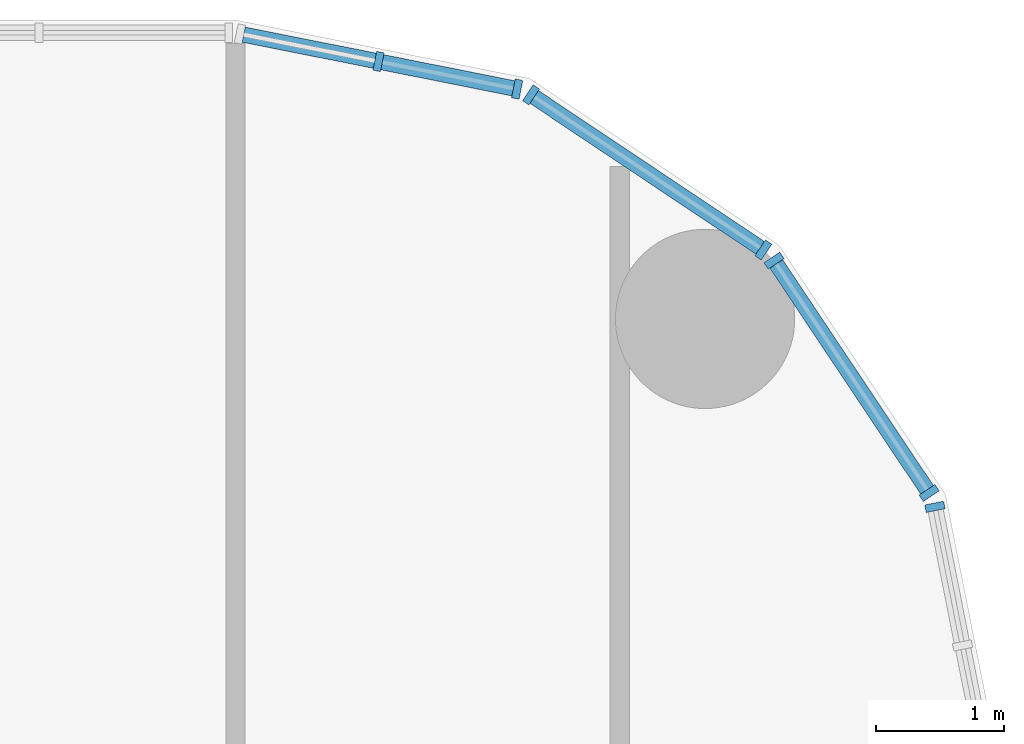
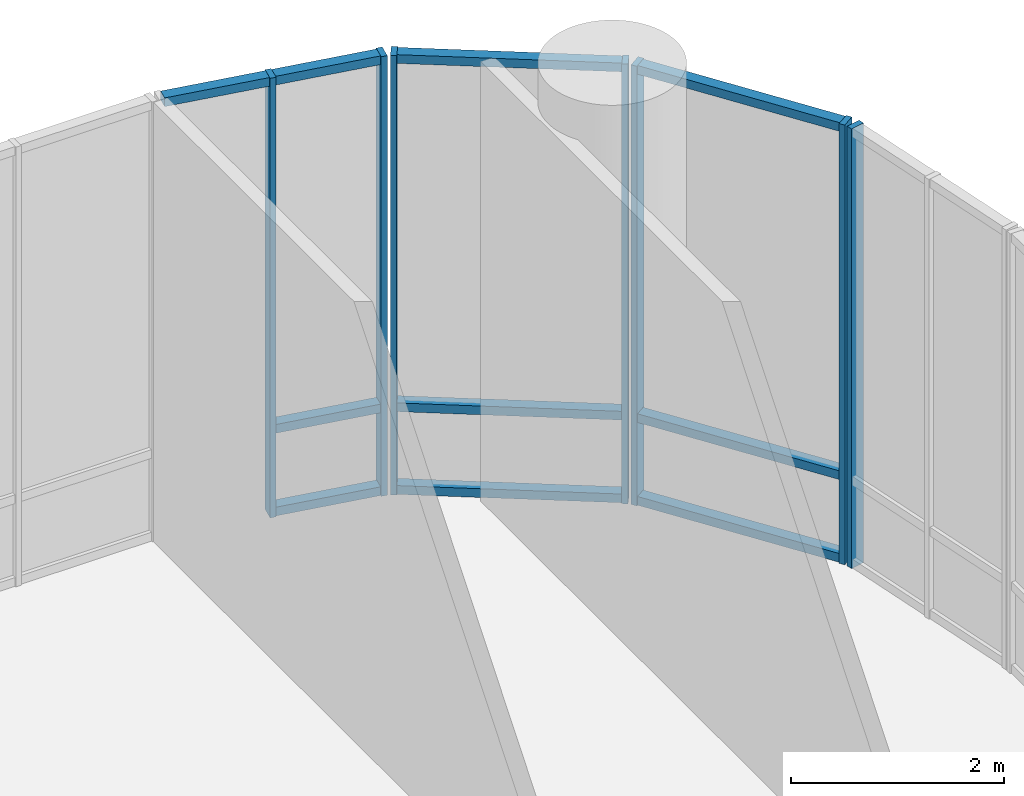
# One storey, part 15 of 28: 17 members, 4 elements without a shape of their own.
"""IFC4 building model written with IfcOpenShell, lengths in metres."""

from ifc_helpers import new_model, si_unit, direction, frame, origin, origin_2d, place, context, subcontext, project, spatial, rectangle, extrude, material, layer, layer_set, material_profile, profile_set, type_object, element, aggregate, save


model = new_model("IFC4")

# Units and contexts
model_context = context("Model", 3, precision=1e-05, world=origin(), true_north=direction((0.0, 1.0)))
body_context = subcontext(model_context, "Body", "Model", "MODEL_VIEW")
ifc_project = project(units=[si_unit("LENGTHUNIT", "METRE"), si_unit("AREAUNIT", "SQUARE_METRE"), si_unit("VOLUMEUNIT", "CUBIC_METRE"), si_unit("PLANEANGLEUNIT", "RADIAN"), si_unit("MASSUNIT", "GRAM", prefix="KILO")], contexts=[model_context])

# Site, building, storey
site_placement = place(None, origin())
site = spatial("IfcSite", under=ifc_project, at=site_placement, CompositionType="ELEMENT")
building_placement = place(site_placement, origin())
building = spatial("IfcBuilding", under=site, at=building_placement, Name="Torana Hotel and Residences", CompositionType="ELEMENT")
storey_placement = place(building_placement, frame((0.0, 0.0, 7.0)))
storey = spatial("IfcBuildingStorey", under=building, at=storey_placement, Name="L01", CompositionType="ELEMENT", Elevation=7.0)

# Curtain wall, member
ifc_material_1 = material(Name="Dark anodised aluminium", Category="aluminium")
ifc_layer = layer(ifc_material_1, 0.14990234375)
ifc_layer_set = layer_set([ifc_layer], Name="CW5 PODIUM UPPER UNITISED CURTAIN WALL")
curtain_wall_type = type_object("IfcCurtainWallType", Name="CW5 PODIUM UPPER UNITISED CURTAIN WALL", PredefinedType="NOTDEFINED", material=ifc_layer_set)
curtain_wall_1_placement = place(storey_placement, origin())
curtain_wall_1 = element("IfcCurtainWall", 1, at=curtain_wall_1_placement, inside=storey, type_object=curtain_wall_type, Name="Curtain wall CW5 L01 e1.6", PredefinedType="NOTDEFINED")
ifc_material_2 = material(Name="Dark anodised aluminium", Category="aluminium")
ifc_material_profile_1 = material_profile(ifc_material_2, rectangle(XDim=0.14990234375, YDim=0.06005859375, at=origin_2d()), Name="CW5 MULLION 60x150")
ifc_profile_set_1 = profile_set([ifc_material_profile_1], Name="Dark anodised aluminium")
member_type_1 = type_object("IfcMemberType", Name="CW5 MULLION 60x150", PredefinedType="MULLION", material=ifc_profile_set_1)
member_1_placement = place(storey_placement, frame((47.460693359375, 4.198486328125, 0.0), z_axis=(0.0, 0.0, 1.0), x_axis=(-0.980787135335, -0.195080996415, 0.0)))
member_1 = element("IfcMember", 2, at=member_1_placement, type_object=member_type_1, Name="CW5 mullion 3", PredefinedType="MULLION", context=body_context, shape_type="SweptSolid", body=[
    extrude(rectangle(XDim=0.14990234375, YDim=0.06005859375, at=origin_2d()), origin(), (0.0, 0.0, 1.0), 5.050048828125),
])
aggregate(curtain_wall_1, [member_1])

# Curtain wall, members
curtain_wall_2_placement = place(storey_placement, origin())
curtain_wall_2 = element("IfcCurtainWall", 3, at=curtain_wall_2_placement, inside=storey, type_object=curtain_wall_type, Name="Curtain wall CW5 L01 e1.7", PredefinedType="NOTDEFINED")
member_2_placement = place(storey_placement, frame((47.415771484375, 4.306884765625, 0.0), z_axis=(0.0, 0.0, 1.0), x_axis=(-0.831459585616, -0.555585238723, 0.0)))
member_2 = element("IfcMember", 4, at=member_2_placement, type_object=member_type_1, Name="CW5 mullion 1", PredefinedType="MULLION", context=body_context, shape_type="SweptSolid", body=[
    extrude(rectangle(XDim=0.14990234375, YDim=0.06005859375, at=origin_2d()), origin(), (0.0, 0.0, 1.0), 5.050048828125),
])
member_3_placement = place(storey_placement, frame((46.203857421875, 6.120849609375, 0.0), z_axis=(0.0, 0.0, 1.0), x_axis=(-0.831459585616, -0.555585238723, 0.0)))
member_3 = element("IfcMember", 5, at=member_3_placement, type_object=member_type_1, Name="CW5 mullion 2", PredefinedType="MULLION", context=body_context, shape_type="SweptSolid", body=[
    extrude(rectangle(XDim=0.14990234375, YDim=0.06005859375, at=origin_2d()), origin(), (0.0, 0.0, 1.0), 5.050048828125),
])

curtain_wall_3_placement = place(storey_placement, origin())
curtain_wall_3 = element("IfcCurtainWall", 6, at=curtain_wall_3_placement, inside=storey, type_object=curtain_wall_type, Name="Curtain wall CW5 L01 e1.8", PredefinedType="NOTDEFINED")
member_4_placement = place(storey_placement, frame((46.120849609375, 6.203857421875, 0.0), z_axis=(0.0, 0.0, 1.0), x_axis=(-0.555585238723, -0.831459585616, 0.0)))
member_4 = element("IfcMember", 7, at=member_4_placement, type_object=member_type_1, Name="CW5 mullion 1", PredefinedType="MULLION", context=body_context, shape_type="SweptSolid", body=[
    extrude(rectangle(XDim=0.14990234375, YDim=0.06005859375, at=origin_2d()), origin(), (0.0, 0.0, 1.0), 5.050048828125),
])
member_5_placement = place(storey_placement, frame((44.306884765625, 7.415771484375, 0.0), z_axis=(0.0, 0.0, 1.0), x_axis=(-0.555585238723, -0.831459585616, 0.0)))
member_5 = element("IfcMember", 8, at=member_5_placement, type_object=member_type_1, Name="CW5 mullion 2", PredefinedType="MULLION", context=body_context, shape_type="SweptSolid", body=[
    extrude(rectangle(XDim=0.14990234375, YDim=0.06005859375, at=origin_2d()), origin(), (0.0, 0.0, 1.0), 5.050048828125),
])

curtain_wall_4_placement = place(storey_placement, origin())
curtain_wall_4 = element("IfcCurtainWall", 9, at=curtain_wall_4_placement, inside=storey, type_object=curtain_wall_type, Name="Curtain wall CW5 L01 e1.9", PredefinedType="NOTDEFINED")
member_6_placement = place(storey_placement, frame((44.198486328125, 7.460693359375, 0.0), z_axis=(0.0, 0.0, 1.0), x_axis=(-0.195080996415, -0.980787135335, 0.0)))
member_6 = element("IfcMember", 10, at=member_6_placement, type_object=member_type_1, Name="CW5 mullion 1", PredefinedType="MULLION", context=body_context, shape_type="SweptSolid", body=[
    extrude(rectangle(XDim=0.14990234375, YDim=0.06005859375, at=origin_2d()), origin(), (0.0, 0.0, 1.0), 5.050048828125),
])
member_7_placement = place(storey_placement, frame((43.1162109375, 7.676025390625, 0.0), z_axis=(0.0, 0.0, 1.0), x_axis=(-0.195080996415, -0.980787135335, 0.0)))
member_7 = element("IfcMember", 11, at=member_7_placement, type_object=member_type_1, Name="CW5 mullion 2", PredefinedType="MULLION", context=body_context, shape_type="SweptSolid", body=[
    extrude(rectangle(XDim=0.14990234375, YDim=0.06005859375, at=origin_2d()), origin(), (0.0, 0.0, 1.0), 5.050048828125),
])

# Member
ifc_material_3 = material(Name="Dark anodised aluminium", Category="aluminium")
ifc_material_profile_2 = material_profile(ifc_material_3, rectangle(XDim=0.1201171875, YDim=0.10009765625, at=origin_2d()), Name="CW5 TRANSOM 120x100")
ifc_profile_set_2 = profile_set([ifc_material_profile_2], Name="Dark anodised aluminium")
member_type_2 = type_object("IfcMemberType", Name="CW5 TRANSOM 120x100", PredefinedType="USERDEFINED", material=ifc_profile_set_2)
member_8_placement = place(storey_placement, frame((47.399169921875, 4.331787109375, 0.050048828125), z_axis=(-0.555602799403, 0.831447851219, 0.0), x_axis=(-0.831447851219, -0.555602799403, 0.0)))
member_8 = element("IfcMember", 12, at=member_8_placement, type_object=member_type_2, Name="CW5 transom 1.1", ObjectType="TRANSOM", PredefinedType="USERDEFINED", context=body_context, shape_type="SweptSolid", body=[
    extrude(rectangle(XDim=0.1201171875, YDim=0.10009765625, at=origin_2d()), origin(), (0.0, 0.0, 1.0), 2.12158203125),
])

member_9_placement = place(storey_placement, frame((47.399169921875, 4.331787109375, 1.0), z_axis=(-0.555602799403, 0.831447851219, 0.0), x_axis=(-0.831447851219, -0.555602799403, 0.0)))
member_9 = element("IfcMember", 13, at=member_9_placement, type_object=member_type_2, Name="CW5 transom 1.2", ObjectType="TRANSOM", PredefinedType="USERDEFINED", context=body_context, shape_type="SweptSolid", body=[
    extrude(rectangle(XDim=0.1201171875, YDim=0.10009765625, at=origin_2d()), origin(), (0.0, 0.0, 1.0), 2.12158203125),
])

member_10_placement = place(storey_placement, frame((47.399169921875, 4.331787109375, 5.0), z_axis=(-0.555602799403, 0.831447851219, 0.0), x_axis=(-0.831447851219, -0.555602799403, 0.0)))
member_10 = element("IfcMember", 14, at=member_10_placement, type_object=member_type_2, Name="CW5 transom 1.3", ObjectType="TRANSOM", PredefinedType="USERDEFINED", context=body_context, shape_type="SweptSolid", body=[
    extrude(rectangle(XDim=0.1201171875, YDim=0.10009765625, at=origin_2d()), origin(), (0.0, 0.0, 1.0), 2.12158203125),
])

aggregate(curtain_wall_2, [member_2, member_3, member_8, member_9, member_10])

member_11_placement = place(storey_placement, frame((46.095703125, 6.220458984375, 0.050048828125), z_axis=(-0.831447851219, 0.555602799403, 0.0), x_axis=(-0.555602799403, -0.831447851219, 0.0)))
member_11 = element("IfcMember", 15, at=member_11_placement, type_object=member_type_2, Name="CW5 transom 1.1", ObjectType="TRANSOM", PredefinedType="USERDEFINED", context=body_context, shape_type="SweptSolid", body=[
    extrude(rectangle(XDim=0.1201171875, YDim=0.10009765625, at=origin_2d()), origin(), (0.0, 0.0, 1.0), 2.12158203125),
])

member_12_placement = place(storey_placement, frame((46.095703125, 6.220458984375, 1.0), z_axis=(-0.831447851219, 0.555602799403, 0.0), x_axis=(-0.555602799403, -0.831447851219, 0.0)))
member_12 = element("IfcMember", 16, at=member_12_placement, type_object=member_type_2, Name="CW5 transom 1.2", ObjectType="TRANSOM", PredefinedType="USERDEFINED", context=body_context, shape_type="SweptSolid", body=[
    extrude(rectangle(XDim=0.1201171875, YDim=0.10009765625, at=origin_2d()), origin(), (0.0, 0.0, 1.0), 2.12158203125),
])

member_13_placement = place(storey_placement, frame((46.095703125, 6.220458984375, 5.0), z_axis=(-0.831447851219, 0.555602799403, 0.0), x_axis=(-0.555602799403, -0.831447851219, 0.0)))
member_13 = element("IfcMember", 17, at=member_13_placement, type_object=member_type_2, Name="CW5 transom 1.3", ObjectType="TRANSOM", PredefinedType="USERDEFINED", context=body_context, shape_type="SweptSolid", body=[
    extrude(rectangle(XDim=0.1201171875, YDim=0.10009765625, at=origin_2d()), origin(), (0.0, 0.0, 1.0), 2.12158203125),
])

aggregate(curtain_wall_3, [member_4, member_5, member_11, member_12, member_13])

member_14_placement = place(storey_placement, frame((44.1689453125, 7.466552734375, 0.050048828125), z_axis=(-0.980778145841, 0.195126186458, 0.0), x_axis=(-0.195126186458, -0.980778145841, 0.0)))
member_14 = element("IfcMember", 18, at=member_14_placement, type_object=member_type_2, Name="CW5 transom 1.1", ObjectType="TRANSOM", PredefinedType="USERDEFINED", context=body_context, shape_type="SweptSolid", body=[
    extrude(rectangle(XDim=0.1201171875, YDim=0.10009765625, at=origin_2d()), origin(), (0.0, 0.0, 1.0), 1.04345703125),
])

member_15_placement = place(storey_placement, frame((44.1689453125, 7.466552734375, 1.0), z_axis=(-0.980778145841, 0.195126186458, 0.0), x_axis=(-0.195126186458, -0.980778145841, 0.0)))
member_15 = element("IfcMember", 19, at=member_15_placement, type_object=member_type_2, Name="CW5 transom 1.2", ObjectType="TRANSOM", PredefinedType="USERDEFINED", context=body_context, shape_type="SweptSolid", body=[
    extrude(rectangle(XDim=0.1201171875, YDim=0.10009765625, at=origin_2d()), origin(), (0.0, 0.0, 1.0), 1.04345703125),
])

member_16_placement = place(storey_placement, frame((44.1689453125, 7.466552734375, 5.0), z_axis=(-0.980778145841, 0.195126186458, 0.0), x_axis=(-0.195126186458, -0.980778145841, 0.0)))
member_16 = element("IfcMember", 20, at=member_16_placement, type_object=member_type_2, Name="CW5 transom 1.3", ObjectType="TRANSOM", PredefinedType="USERDEFINED", context=body_context, shape_type="SweptSolid", body=[
    extrude(rectangle(XDim=0.1201171875, YDim=0.10009765625, at=origin_2d()), origin(), (0.0, 0.0, 1.0), 1.04345703125),
])

member_17_placement = place(storey_placement, frame((43.086669921875, 7.681884765625, 5.0), z_axis=(-0.980769234765, 0.195170971557, 0.0), x_axis=(-0.195170971557, -0.980769234765, 0.0)))
member_17 = element("IfcMember", 21, at=member_17_placement, type_object=member_type_2, Name="CW5 transom 2.3", ObjectType="TRANSOM", PredefinedType="USERDEFINED", context=body_context, shape_type="SweptSolid", body=[
    extrude(rectangle(XDim=0.1201171875, YDim=0.10009765625, at=origin_2d()), origin(), (0.0, 0.0, 1.0), 1.043212890625),
])

aggregate(curtain_wall_4, [member_6, member_7, member_14, member_15, member_16, member_17])

save(model, "model.ifc")
